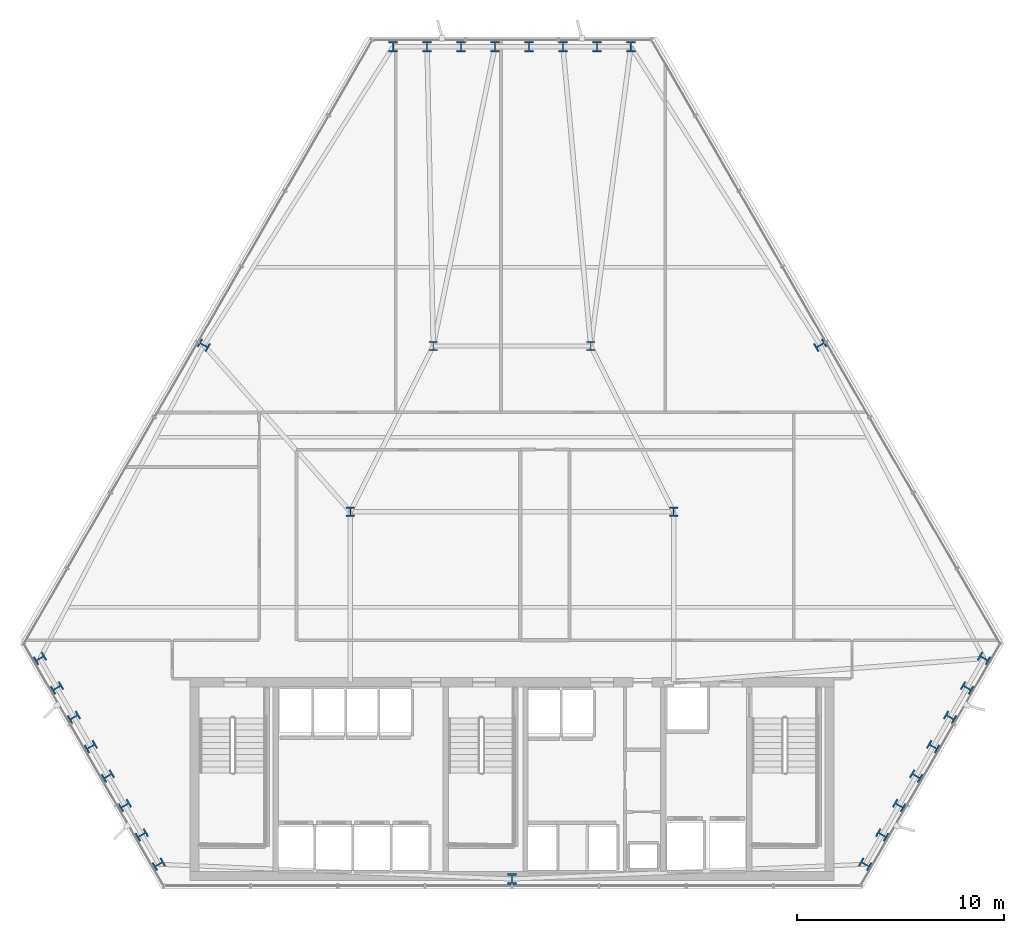
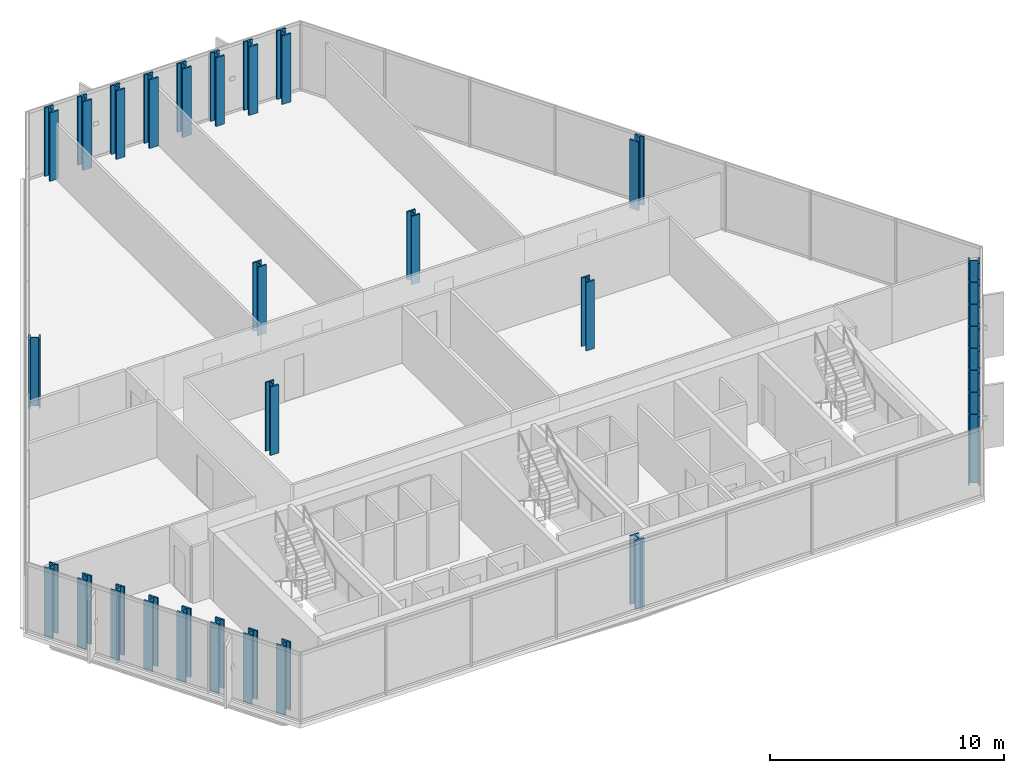
# One storey, part 1 of 31: 31 columns.
"""IFC4 building model written with IfcOpenShell, lengths in metres."""

from ifc_helpers import new_model, si_unit, direction, frame, origin, origin_2d, place, context, subcontext, project, spatial, i_section, extrude, material, material_profile, profile_set, type_object, element, save


model = new_model("IFC4")

# Units and contexts
model_context = context("Model", 3, precision=1e-05, world=origin(), true_north=direction((0.0, 1.0)))
body_context = subcontext(model_context, "Body", "Model", "MODEL_VIEW")
ifc_project = project(units=[si_unit("LENGTHUNIT", "METRE"), si_unit("AREAUNIT", "SQUARE_METRE"), si_unit("VOLUMEUNIT", "CUBIC_METRE"), si_unit("PLANEANGLEUNIT", "RADIAN"), si_unit("MASSUNIT", "GRAM", prefix="KILO")], contexts=[model_context])

# Site, building, storey
site_placement = place(None, origin())
site = spatial("IfcSite", under=ifc_project, at=site_placement, CompositionType="ELEMENT")
building_placement = place(site_placement, origin())
building = spatial("IfcBuilding", under=site, at=building_placement, Name="Ndaravel Arena Tower", CompositionType="ELEMENT")
storey_placement = place(building_placement, frame((0.0, 0.0, 100.60009765625)))
storey = spatial("IfcBuildingStorey", under=building, at=storey_placement, Name="L23", CompositionType="ELEMENT", Elevation=100.60009765625)

# Columns
ifc_material_1 = material(Name="Steel S460", Category="steel")
ifc_material_profile_1 = material_profile(ifc_material_1, i_section(OverallWidth=0.41845703125, OverallDepth=0.45556640625, WebThickness=0.0419921875, FlangeThickness=0.0673828125, FilletRadius=0.01513671875, at=origin_2d()), Name="UC 356x406x551")
ifc_profile_set_1 = profile_set([ifc_material_profile_1], Name="Steel S460")
column_type_1 = type_object("IfcColumnType", Name="COL-INT-UC551", PredefinedType="COLUMN", material=ifc_profile_set_1)
for number, where, z_axis, x_axis, name in (
    (1, (34.199951171875, 23.199951171875, 0.0), (0.0, 0.0, 1.0), (1.0, 0.0, 0.0), "L23 Interior Spine Column IC-01"),
    (2, (49.800048828125, 23.199951171875, 0.0), (0.0, 0.0, 1.0), (1.0, 0.0, 0.0), "L23 Interior Spine Column IC-02"),
    (3, (38.199951171875, 31.199951171875, 0.0), (0.0, 0.0, 1.0), (1.0, 0.0, 0.0), "L23 Interior Spine Column IC-03"),
    (4, (45.800048828125, 31.199951171875, 0.0), (0.0, 0.0, 1.0), (1.0, 0.0, 0.0), "L23 Interior Spine Column IC-04"),
):
    element("IfcColumn", number, at=place(storey_placement, frame(where, z_axis=z_axis, x_axis=x_axis)), inside=storey, type_object=column_type_1, Name=name, PredefinedType="COLUMN", context=body_context, shape_type="SweptSolid", body=[
        extrude(i_section(OverallWidth=0.41845703125, OverallDepth=0.45556640625, WebThickness=0.0419921875, FlangeThickness=0.0673828125, FilletRadius=0.01513671875, at=origin_2d()), origin(), (0.0, 0.0, 1.0), 3.579833984375),
    ])
ifc_material_2 = material(Name="Steel S460", Category="steel")
ifc_material_profile_2 = material_profile(ifc_material_2, i_section(OverallWidth=0.43701171875, OverallDepth=0.513916015625, WebThickness=0.060546875, FlangeThickness=0.076904296875, FilletRadius=0.014892578125, at=origin_2d()), Name="HD 400x818")
ifc_profile_set_2 = profile_set([ifc_material_profile_2], Name="Steel S460")
column_type_2 = type_object("IfcColumnType", Name="COL-TUBE-HD818", PredefinedType="COLUMN", material=ifc_profile_set_2)
for number, where, z_axis, x_axis, name in (
    (5, (42.0, 5.47998046875, 0.0), (0.0, 0.0, 1.0), (1.0, 0.0, 0.0), "L23 Framed Tube Column TC-01"),
    (6, (59.04296875, 6.189697265625, 0.0), (0.0, 0.0, 1.0), (0.5, 0.866025403784, 0.0), "L23 Framed Tube Column TC-02"),
    (7, (59.8623046875, 7.608642578125, 0.0), (0.0, 0.0, 1.0), (0.5, 0.866025403784, 0.0), "L23 Framed Tube Column TC-03"),
    (8, (60.681640625, 9.02783203125, 0.0), (0.0, 0.0, 1.0), (0.5, 0.866025403784, 0.0), "L23 Framed Tube Column TC-04"),
    (9, (61.5009765625, 10.44677734375, 0.0), (0.0, 0.0, 1.0), (0.5, 0.866025403784, 0.0), "L23 Framed Tube Column TC-05"),
    (10, (62.3203125, 11.865966796875, 0.0), (0.0, 0.0, 1.0), (0.5, 0.866025403784, 0.0), "L23 Framed Tube Column TC-06"),
    (11, (63.139404296875, 13.284912109375, 0.0), (0.0, 0.0, 1.0), (0.5, 0.866025403784, 0.0), "L23 Framed Tube Column TC-07"),
    (12, (63.958740234375, 14.7041015625, 0.0), (0.0, 0.0, 1.0), (0.5, 0.866025403784, 0.0), "L23 Framed Tube Column TC-08"),
    (13, (64.778076171875, 16.123291015625, 0.0), (0.0, 0.0, 1.0), (0.5, 0.866025403784, 0.0), "L23 Framed Tube Column TC-09"),
    (14, (56.87109375, 31.23779296875, 0.0), (0.0, 0.0, 1.0), (-0.5, 0.866025403784, 0.0), "L23 Framed Tube Column TC-10"),
    (15, (47.7353515625, 45.642578125, 0.0), (0.0, 0.0, 1.0), (1.0, 0.0, 0.0), "L23 Framed Tube Column TC-11"),
    (16, (46.0966796875, 45.642578125, 0.0), (0.0, 0.0, 1.0), (1.0, 0.0, 0.0), "L23 Framed Tube Column TC-12"),
    (17, (44.4580078125, 45.642578125, 0.0), (0.0, 0.0, 1.0), (1.0, 0.0, 0.0), "L23 Framed Tube Column TC-13"),
    (18, (42.8193359375, 45.642578125, 0.0), (0.0, 0.0, 1.0), (1.0, 0.0, 0.0), "L23 Framed Tube Column TC-14"),
    (19, (41.1806640625, 45.642578125, 0.0), (0.0, 0.0, 1.0), (1.0, 0.0, 0.0), "L23 Framed Tube Column TC-15"),
    (20, (39.5419921875, 45.642578125, 0.0), (0.0, 0.0, 1.0), (1.0, 0.0, 0.0), "L23 Framed Tube Column TC-16"),
    (21, (37.9033203125, 45.642578125, 0.0), (0.0, 0.0, 1.0), (1.0, 0.0, 0.0), "L23 Framed Tube Column TC-17"),
    (22, (36.2646484375, 45.642578125, 0.0), (0.0, 0.0, 1.0), (1.0, 0.0, 0.0), "L23 Framed Tube Column TC-18"),
    (23, (27.12890625, 31.23779296875, 0.0), (0.0, 0.0, 1.0), (0.5, 0.866025403784, 0.0), "L23 Framed Tube Column TC-19"),
    (24, (19.221923828125, 16.123291015625, 0.0), (0.0, 0.0, 1.0), (-0.5, 0.866025403784, 0.0), "L23 Framed Tube Column TC-20"),
    (25, (20.041259765625, 14.7041015625, 0.0), (0.0, 0.0, 1.0), (-0.5, 0.866025403784, 0.0), "L23 Framed Tube Column TC-21"),
    (26, (20.860595703125, 13.284912109375, 0.0), (0.0, 0.0, 1.0), (-0.5, 0.866025403784, 0.0), "L23 Framed Tube Column TC-22"),
    (27, (21.6796875, 11.865966796875, 0.0), (0.0, 0.0, 1.0), (-0.5, 0.866025403784, 0.0), "L23 Framed Tube Column TC-23"),
    (28, (22.4990234375, 10.44677734375, 0.0), (0.0, 0.0, 1.0), (-0.5, 0.866025403784, 0.0), "L23 Framed Tube Column TC-24"),
    (29, (23.318359375, 9.02783203125, 0.0), (0.0, 0.0, 1.0), (-0.5, 0.866025403784, 0.0), "L23 Framed Tube Column TC-25"),
    (30, (24.1376953125, 7.608642578125, 0.0), (0.0, 0.0, 1.0), (-0.5, 0.866025403784, 0.0), "L23 Framed Tube Column TC-26"),
    (31, (24.95703125, 6.189697265625, 0.0), (0.0, 0.0, 1.0), (-0.5, 0.866025403784, 0.0), "L23 Framed Tube Column TC-27"),
):
    element("IfcColumn", number, at=place(storey_placement, frame(where, z_axis=z_axis, x_axis=x_axis)), inside=storey, type_object=column_type_2, Name=name, PredefinedType="COLUMN", context=body_context, shape_type="SweptSolid", body=[
        extrude(i_section(OverallWidth=0.43701171875, OverallDepth=0.513916015625, WebThickness=0.060546875, FlangeThickness=0.076904296875, FilletRadius=0.014892578125, at=origin_2d()), origin(), (0.0, 0.0, 1.0), 3.579833984375),
    ])

save(model, "model.ifc")
